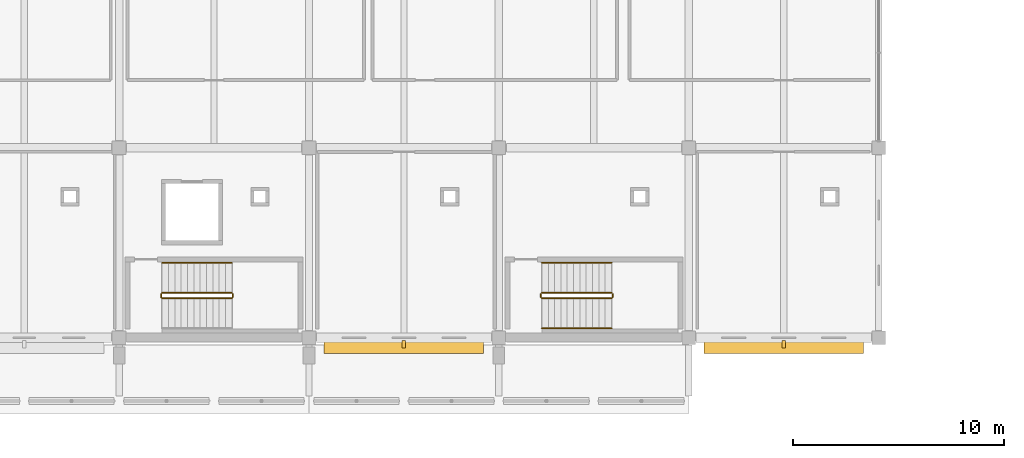
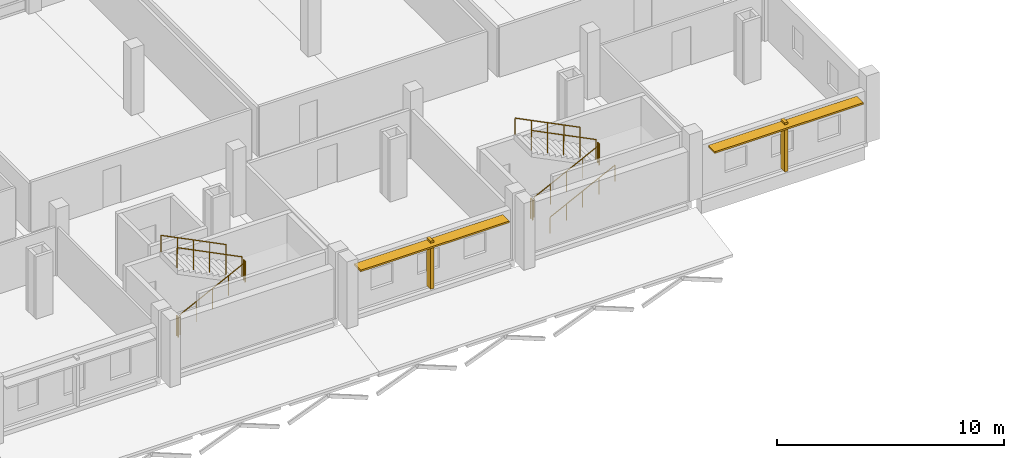
# One storey, part 122 of 132: 11 railings, 4 shading devices.
"""IFC4 building model written with IfcOpenShell, lengths in metres."""

from ifc_helpers import new_model, si_unit, direction, frame, origin, origin_2d, place, context, subcontext, project, spatial, rectangle, circle, extrude, material, layer, layer_set, type_object, element, save


model = new_model("IFC4")

# Units and contexts
model_context = context("Model", 3, precision=1e-05, world=origin(), true_north=direction((0.0, 1.0)))
body_context = subcontext(model_context, "Body", "Model", "MODEL_VIEW")
ifc_project = project(units=[si_unit("LENGTHUNIT", "METRE"), si_unit("AREAUNIT", "SQUARE_METRE"), si_unit("VOLUMEUNIT", "CUBIC_METRE"), si_unit("PLANEANGLEUNIT", "RADIAN"), si_unit("MASSUNIT", "GRAM", prefix="KILO")], contexts=[model_context])

# Site, building, storey
site_placement = place(None, origin())
site = spatial("IfcSite", under=ifc_project, at=site_placement, CompositionType="ELEMENT")
building_placement = place(site_placement, origin())
building = spatial("IfcBuilding", under=site, at=building_placement, Name="Tharagai Park Tramway Depot", CompositionType="ELEMENT")
storey_placement = place(building_placement, frame((0.0, 0.0, 4.800048828125)))
storey = spatial("IfcBuildingStorey", under=building, at=storey_placement, Name="L01", CompositionType="ELEMENT", Elevation=4.800048828125)

# Railings
ifc_material_1 = material(Name="Galvanised steel", Category="steel")
railing_type_1 = type_object("IfcRailingType", Name="HR-02", PredefinedType="GUARDRAIL", material=ifc_material_1)
railing_1_placement = place(storey_placement, frame((65.0400390625, 1.8701171875, 0.14990234375)))
element("IfcRailing", 1, at=railing_1_placement, inside=storey, type_object=railing_type_1, Name="L01 ST-04 stair guard 1", PredefinedType="GUARDRAIL", context=body_context, shape_type="SweptSolid", body=[
    extrude(circle(Radius=0.02392578125, at=origin_2d()), frame((0.0, 0.0, 1.076171875), z_axis=(0.894413956696, 0.0, 0.447240063129), x_axis=(0.0, 1.0, 0.0)), (0.0, 0.0, 1.0), 3.689697265625),
    extrude(circle(Radius=0.02099609375, at=origin_2d()), origin(), (0.0, 0.0, 1.0), 1.052001953125),
    extrude(circle(Radius=0.02099609375, at=origin_2d()), frame((0.824951171875, 0.0, 0.41259765625)), (0.0, 0.0, 1.0), 1.052001953125),
    extrude(circle(Radius=0.02099609375, at=origin_2d()), frame((1.64990234375, 0.0, 0.8251953125)), (0.0, 0.0, 1.0), 1.052001953125),
    extrude(circle(Radius=0.02099609375, at=origin_2d()), frame((2.47509765625, 0.0, 1.237548828125)), (0.0, 0.0, 1.0), 1.052001953125),
    extrude(circle(Radius=0.02099609375, at=origin_2d()), frame((3.300048828125, 0.0, 1.650146484375)), (0.0, 0.0, 1.0), 1.052001953125),
])
railing_2_placement = place(storey_placement, frame((68.389892578125, 1.919921875, 1.800048828125)))
element("IfcRailing", 2, at=railing_2_placement, inside=storey, type_object=railing_type_1, Name="L01 ST-04 stair guard 2", PredefinedType="GUARDRAIL", context=body_context, shape_type="SweptSolid", body=[
    extrude(circle(Radius=0.02392578125, at=origin_2d()), frame((0.0, 0.0, 1.076171875), z_axis=(0.0, 1.0, 0.0), x_axis=(-1.0, 0.0, 0.0)), (0.0, 0.0, 1.0), 0.150146484375),
    extrude(circle(Radius=0.02099609375, at=origin_2d()), origin(), (0.0, 0.0, 1.0), 1.052001953125),
    extrude(circle(Radius=0.02099609375, at=origin_2d()), frame((0.0, 0.150146484375, 0.0)), (0.0, 0.0, 1.0), 1.052001953125),
])
railing_3_placement = place(storey_placement, frame((68.340087890625, 2.1201171875, 1.949951171875)))
element("IfcRailing", 3, at=railing_3_placement, inside=storey, type_object=railing_type_1, Name="L01 ST-04 stair guard 3", PredefinedType="GUARDRAIL", context=body_context, shape_type="SweptSolid", body=[
    extrude(circle(Radius=0.02392578125, at=origin_2d()), frame((0.0, 0.0, 1.076171875), z_axis=(-0.894440424912, 0.0, 0.447187126696), x_axis=(0.0, -1.0, 0.0)), (0.0, 0.0, 1.0), 3.689453125),
    extrude(circle(Radius=0.02099609375, at=origin_2d()), origin(), (0.0, 0.0, 1.0), 1.052001953125),
    extrude(circle(Radius=0.02099609375, at=origin_2d()), frame((-0.824951171875, 0.0, 0.41259765625)), (0.0, 0.0, 1.0), 1.052001953125),
    extrude(circle(Radius=0.02099609375, at=origin_2d()), frame((-1.64990234375, 0.0, 0.824951171875)), (0.0, 0.0, 1.0), 1.052001953125),
    extrude(circle(Radius=0.02099609375, at=origin_2d()), frame((-2.47509765625, 0.0, 1.2373046875)), (0.0, 0.0, 1.0), 1.052001953125),
    extrude(circle(Radius=0.02099609375, at=origin_2d()), frame((-3.300048828125, 0.0, 1.64990234375)), (0.0, 0.0, 1.0), 1.052001953125),
])
railing_4_placement = place(storey_placement, frame((64.989990234375, 1.919921875, 0.0)))
element("IfcRailing", 4, at=railing_4_placement, inside=storey, type_object=railing_type_1, Name="L01 ST-04 stair guard 4", PredefinedType="GUARDRAIL", context=body_context, shape_type="SweptSolid", body=[
    extrude(circle(Radius=0.02392578125, at=origin_2d()), frame((0.0, 0.0, 1.076171875), z_axis=(0.0, 1.0, 0.0), x_axis=(-1.0, 0.0, 0.0)), (0.0, 0.0, 1.0), 0.150146484375),
    extrude(circle(Radius=0.02099609375, at=origin_2d()), origin(), (0.0, 0.0, 1.0), 1.052001953125),
    extrude(circle(Radius=0.02099609375, at=origin_2d()), frame((0.0, 0.150146484375, 0.0)), (0.0, 0.0, 1.0), 1.052001953125),
])
railing_5_placement = place(storey_placement, frame((83.0400390625, 1.8701171875, 0.14990234375)))
element("IfcRailing", 5, at=railing_5_placement, inside=storey, type_object=railing_type_1, Name="L01 ST-05 stair guard 1", PredefinedType="GUARDRAIL", context=body_context, shape_type="SweptSolid", body=[
    extrude(circle(Radius=0.02392578125, at=origin_2d()), frame((0.0, 0.0, 1.076171875), z_axis=(0.894413956696, 0.0, 0.447240063129), x_axis=(0.0, 1.0, 0.0)), (0.0, 0.0, 1.0), 3.689697265625),
    extrude(circle(Radius=0.02099609375, at=origin_2d()), origin(), (0.0, 0.0, 1.0), 1.052001953125),
    extrude(circle(Radius=0.02099609375, at=origin_2d()), frame((0.824951171875, 0.0, 0.41259765625)), (0.0, 0.0, 1.0), 1.052001953125),
    extrude(circle(Radius=0.02099609375, at=origin_2d()), frame((1.64990234375, 0.0, 0.8251953125)), (0.0, 0.0, 1.0), 1.052001953125),
    extrude(circle(Radius=0.02099609375, at=origin_2d()), frame((2.47509765625, 0.0, 1.237548828125)), (0.0, 0.0, 1.0), 1.052001953125),
    extrude(circle(Radius=0.02099609375, at=origin_2d()), frame((3.300048828125, 0.0, 1.650146484375)), (0.0, 0.0, 1.0), 1.052001953125),
])
railing_6_placement = place(storey_placement, frame((86.389892578125, 1.919921875, 1.800048828125)))
element("IfcRailing", 6, at=railing_6_placement, inside=storey, type_object=railing_type_1, Name="L01 ST-05 stair guard 2", PredefinedType="GUARDRAIL", context=body_context, shape_type="SweptSolid", body=[
    extrude(circle(Radius=0.02392578125, at=origin_2d()), frame((0.0, 0.0, 1.076171875), z_axis=(0.0, 1.0, 0.0), x_axis=(-1.0, 0.0, 0.0)), (0.0, 0.0, 1.0), 0.150146484375),
    extrude(circle(Radius=0.02099609375, at=origin_2d()), origin(), (0.0, 0.0, 1.0), 1.052001953125),
    extrude(circle(Radius=0.02099609375, at=origin_2d()), frame((0.0, 0.150146484375, 0.0)), (0.0, 0.0, 1.0), 1.052001953125),
])
railing_7_placement = place(storey_placement, frame((86.340087890625, 2.1201171875, 1.949951171875)))
element("IfcRailing", 7, at=railing_7_placement, inside=storey, type_object=railing_type_1, Name="L01 ST-05 stair guard 3", PredefinedType="GUARDRAIL", context=body_context, shape_type="SweptSolid", body=[
    extrude(circle(Radius=0.02392578125, at=origin_2d()), frame((0.0, 0.0, 1.076171875), z_axis=(-0.894440424912, 0.0, 0.447187126696), x_axis=(0.0, -1.0, 0.0)), (0.0, 0.0, 1.0), 3.689453125),
    extrude(circle(Radius=0.02099609375, at=origin_2d()), origin(), (0.0, 0.0, 1.0), 1.052001953125),
    extrude(circle(Radius=0.02099609375, at=origin_2d()), frame((-0.824951171875, 0.0, 0.41259765625)), (0.0, 0.0, 1.0), 1.052001953125),
    extrude(circle(Radius=0.02099609375, at=origin_2d()), frame((-1.64990234375, 0.0, 0.824951171875)), (0.0, 0.0, 1.0), 1.052001953125),
    extrude(circle(Radius=0.02099609375, at=origin_2d()), frame((-2.47509765625, 0.0, 1.2373046875)), (0.0, 0.0, 1.0), 1.052001953125),
    extrude(circle(Radius=0.02099609375, at=origin_2d()), frame((-3.300048828125, 0.0, 1.64990234375)), (0.0, 0.0, 1.0), 1.052001953125),
])
railing_8_placement = place(storey_placement, frame((82.989990234375, 1.919921875, 0.0)))
element("IfcRailing", 8, at=railing_8_placement, inside=storey, type_object=railing_type_1, Name="L01 ST-05 stair guard 4", PredefinedType="GUARDRAIL", context=body_context, shape_type="SweptSolid", body=[
    extrude(circle(Radius=0.02392578125, at=origin_2d()), frame((0.0, 0.0, 1.076171875), z_axis=(0.0, 1.0, 0.0), x_axis=(-1.0, 0.0, 0.0)), (0.0, 0.0, 1.0), 0.150146484375),
    extrude(circle(Radius=0.02099609375, at=origin_2d()), origin(), (0.0, 0.0, 1.0), 1.052001953125),
    extrude(circle(Radius=0.02099609375, at=origin_2d()), frame((0.0, 0.150146484375, 0.0)), (0.0, 0.0, 1.0), 1.052001953125),
])
railing_type_2 = type_object("IfcRailingType", Name="HR-03", PredefinedType="HANDRAIL", material=ifc_material_1)
railing_9_placement = place(storey_placement, frame((68.340087890625, 3.5400390625, 1.949951171875)))
element("IfcRailing", 9, at=railing_9_placement, inside=storey, type_object=railing_type_2, Name="L01 ST-04 stair handrail 2", PredefinedType="HANDRAIL", context=body_context, shape_type="SweptSolid", body=[
    extrude(circle(Radius=0.02392578125, at=origin_2d()), frame((0.0, 0.0, 0.8759765625), z_axis=(-0.894440424912, 0.0, 0.447187126696), x_axis=(0.0, -1.0, 0.0)), (0.0, 0.0, 1.0), 3.689453125),
    extrude(circle(Radius=0.02099609375, at=origin_2d()), origin(), (0.0, 0.0, 1.0), 0.851806640625),
    extrude(circle(Radius=0.02099609375, at=origin_2d()), frame((-0.824951171875, 0.0, 0.41259765625)), (0.0, 0.0, 1.0), 0.851806640625),
    extrude(circle(Radius=0.02099609375, at=origin_2d()), frame((-1.64990234375, 0.0, 0.824951171875)), (0.0, 0.0, 1.0), 0.851806640625),
    extrude(circle(Radius=0.02099609375, at=origin_2d()), frame((-2.47509765625, 0.0, 1.2373046875)), (0.0, 0.0, 1.0), 0.851806640625),
    extrude(circle(Radius=0.02099609375, at=origin_2d()), frame((-3.300048828125, 0.0, 1.64990234375)), (0.0, 0.0, 1.0), 0.851806640625),
])
railing_10_placement = place(storey_placement, frame((83.0400390625, 0.449951171875, 0.14990234375)))
element("IfcRailing", 10, at=railing_10_placement, inside=storey, type_object=railing_type_2, Name="L01 ST-05 stair handrail 1", PredefinedType="HANDRAIL", context=body_context, shape_type="SweptSolid", body=[
    extrude(circle(Radius=0.02392578125, at=origin_2d()), frame((0.0, 0.0, 0.8759765625), z_axis=(0.894413956696, 0.0, 0.447240063129), x_axis=(0.0, 1.0, 0.0)), (0.0, 0.0, 1.0), 3.689697265625),
    extrude(circle(Radius=0.02099609375, at=origin_2d()), origin(), (0.0, 0.0, 1.0), 0.851806640625),
    extrude(circle(Radius=0.02099609375, at=origin_2d()), frame((0.824951171875, 0.0, 0.41259765625)), (0.0, 0.0, 1.0), 0.851806640625),
    extrude(circle(Radius=0.02099609375, at=origin_2d()), frame((1.64990234375, 0.0, 0.8251953125)), (0.0, 0.0, 1.0), 0.851806640625),
    extrude(circle(Radius=0.02099609375, at=origin_2d()), frame((2.47509765625, 0.0, 1.237548828125)), (0.0, 0.0, 1.0), 0.851806640625),
    extrude(circle(Radius=0.02099609375, at=origin_2d()), frame((3.300048828125, 0.0, 1.650146484375)), (0.0, 0.0, 1.0), 0.851806640625),
])
railing_11_placement = place(storey_placement, frame((86.340087890625, 3.5400390625, 1.949951171875)))
element("IfcRailing", 11, at=railing_11_placement, inside=storey, type_object=railing_type_2, Name="L01 ST-05 stair handrail 2", PredefinedType="HANDRAIL", context=body_context, shape_type="SweptSolid", body=[
    extrude(circle(Radius=0.02392578125, at=origin_2d()), frame((0.0, 0.0, 0.8759765625), z_axis=(-0.894440424912, 0.0, 0.447187126696), x_axis=(0.0, -1.0, 0.0)), (0.0, 0.0, 1.0), 3.689453125),
    extrude(circle(Radius=0.02099609375, at=origin_2d()), origin(), (0.0, 0.0, 1.0), 0.851806640625),
    extrude(circle(Radius=0.02099609375, at=origin_2d()), frame((-0.824951171875, 0.0, 0.41259765625)), (0.0, 0.0, 1.0), 0.851806640625),
    extrude(circle(Radius=0.02099609375, at=origin_2d()), frame((-1.64990234375, 0.0, 0.824951171875)), (0.0, 0.0, 1.0), 0.851806640625),
    extrude(circle(Radius=0.02099609375, at=origin_2d()), frame((-2.47509765625, 0.0, 1.2373046875)), (0.0, 0.0, 1.0), 0.851806640625),
    extrude(circle(Radius=0.02099609375, at=origin_2d()), frame((-3.300048828125, 0.0, 1.64990234375)), (0.0, 0.0, 1.0), 0.851806640625),
])

# Shading devices
ifc_material_2 = material(Name="Anodised aluminium", Category="aluminium")
ifc_layer_1 = layer(ifc_material_2, 0.090087890625)
ifc_layer_set_1 = layer_set([ifc_layer_1], Name="Anodised aluminium")
shading_device_type_1 = type_object("IfcShadingDeviceType", Name="SD-01", PredefinedType="SHUTTER", material=ifc_layer_set_1)
for number, where, z_axis, x_axis, name in (
    (12, (76.5, -0.449951171875, 2.4169921875), (0.0, 0.0, 1.0), (1.0, 0.0, 0.0), "Monsoon Storm Louvre Hood SD-01 #4"),
    (13, (94.5, -0.449951171875, 2.47705078125), (0.0, 0.0, 1.0), (1.0, 0.0, 0.0), "Monsoon Storm Louvre Hood SD-01 #5"),
):
    element("IfcShadingDevice", number, at=place(storey_placement, frame(where, z_axis=z_axis, x_axis=x_axis)), inside=storey, type_object=shading_device_type_1, Name=name, PredefinedType="SHUTTER", context=body_context, shape_type="SweptSolid", body=[
        extrude(rectangle(XDim=7.553955078125, YDim=0.580078125, at=origin_2d()), origin(), (0.0, 0.0, 1.0), 0.090087890625),
    ])
ifc_material_3 = material(Name="Charnockite stone", Category="masonry")
ifc_layer_2 = layer(ifc_material_3, 0.159912109375)
ifc_layer_set_2 = layer_set([ifc_layer_2], Name="Charnockite stone")
shading_device_type_2 = type_object("IfcShadingDeviceType", Name="SD-02", PredefinedType="JALOUSIE", material=ifc_layer_set_2)
shading_device_1_placement = place(storey_placement, frame((76.5, -0.31005859375, 0.030029296875), z_axis=(0.0, 0.0, 1.0), x_axis=(1.0, 0.0, 0.0)))
element("IfcShadingDevice", 14, at=shading_device_1_placement, inside=storey, type_object=shading_device_type_2, Name="Charnockite Gothic Lancet Mullion Fin SD-02 #4", PredefinedType="JALOUSIE", context=body_context, shape_type="SweptSolid", body=[
    extrude(rectangle(XDim=0.159912109375, YDim=0.360107421875, at=origin_2d()), origin(), (0.0, 0.0, 1.0), 2.58203125),
])
shading_device_2_placement = place(storey_placement, frame((94.5, -0.31005859375, 0.02978515625), z_axis=(0.0, 0.0, 1.0), x_axis=(1.0, 0.0, 0.0)))
element("IfcShadingDevice", 15, at=shading_device_2_placement, inside=storey, type_object=shading_device_type_2, Name="Charnockite Gothic Lancet Mullion Fin SD-02 #5", PredefinedType="JALOUSIE", context=body_context, shape_type="SweptSolid", body=[
    extrude(rectangle(XDim=0.159912109375, YDim=0.360107421875, at=origin_2d()), origin(), (0.0, 0.0, 1.0), 2.64208984375),
])

save(model, "model.ifc")
